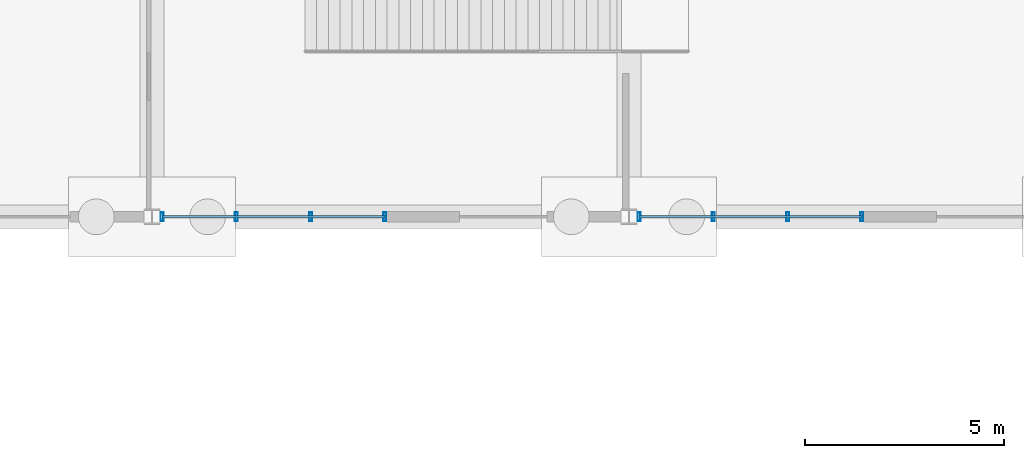
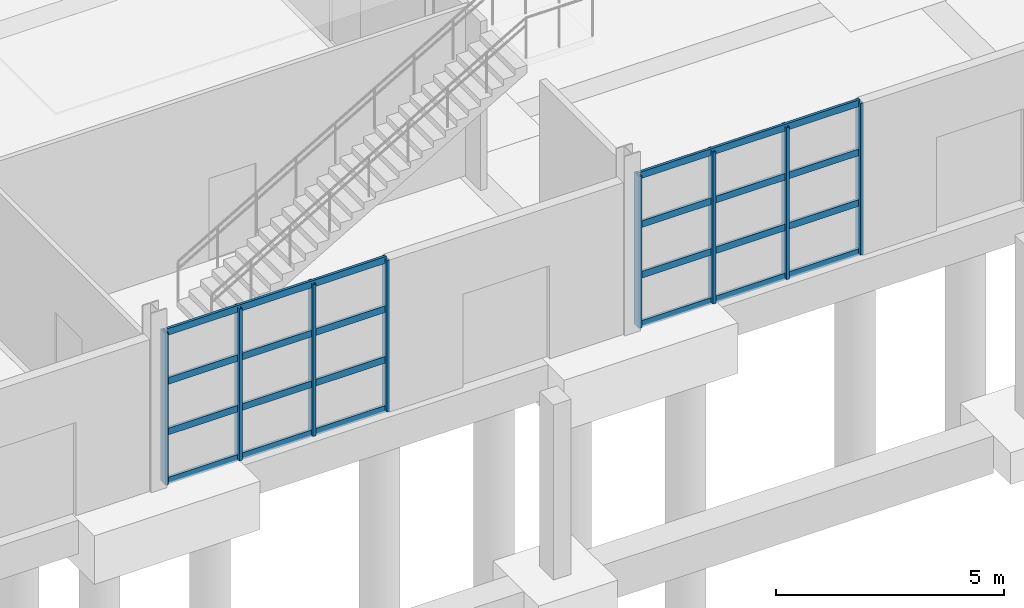
# One storey, part 26 of 82: 16 members, 2 elements without a shape of their own.
"""IFC4 building model written with IfcOpenShell, lengths in metres."""

from ifc_helpers import new_model, si_unit, direction, frame, origin, origin_2d, place, context, subcontext, project, spatial, hollow_rectangle, extrude, material, material_profile, profile_set, type_object, element, aggregate, save


model = new_model("IFC4")

# Units and contexts
model_context = context("Model", 3, precision=1e-05, world=origin(), true_north=direction((0.0, 1.0)))
body_context = subcontext(model_context, "Body", "Model", "MODEL_VIEW")
ifc_project = project(units=[si_unit("LENGTHUNIT", "METRE"), si_unit("AREAUNIT", "SQUARE_METRE"), si_unit("VOLUMEUNIT", "CUBIC_METRE"), si_unit("PLANEANGLEUNIT", "RADIAN"), si_unit("MASSUNIT", "GRAM", prefix="KILO")], contexts=[model_context])

# Site, building, storey
site_placement = place(None, origin())
site = spatial("IfcSite", under=ifc_project, at=site_placement, CompositionType="ELEMENT")
building_placement = place(site_placement, origin())
building = spatial("IfcBuilding", under=site, at=building_placement, Name="Kelmvaro Bay Concert Hall", CompositionType="ELEMENT")
storey_placement = place(building_placement, origin())
storey = spatial("IfcBuildingStorey", under=building, at=storey_placement, Name="L00", CompositionType="ELEMENT", Elevation=0.0)

# Curtain wall, members
ifc_material_1 = material(Name="Anodised Aluminium and Low-E Insulated Glazing", Category="aluminium")
curtain_wall_type = type_object("IfcCurtainWallType", Name="Foyer Ground Hurricane Curtain Wall 4400", PredefinedType="USERDEFINED", material=ifc_material_1)
curtain_wall_1_placement = place(storey_placement, origin())
curtain_wall_1 = element("IfcCurtainWall", 1, at=curtain_wall_1_placement, inside=storey, type_object=curtain_wall_type, Name="Unitised Curtain Wall CW-L00-043", ObjectType="UNITISED GLAZING", PredefinedType="USERDEFINED")
ifc_material_2 = material(Name="Anodised Extruded Aluminium 6063-T6", Category="aluminium")
ifc_material_profile_1 = material_profile(ifc_material_2, hollow_rectangle(XDim=0.074951171875, YDim=0.219970703125, WallThickness=0.00439453125, at=origin_2d()), Name="ALU-MUL-220X75")
ifc_profile_set_1 = profile_set([ifc_material_profile_1], Name="Anodised Extruded Aluminium 6063-T6")
member_type_1 = type_object("IfcMemberType", Name="Curtain Mullion Heavy ALU 220x75", PredefinedType="MULLION", material=ifc_profile_set_1)
member_1_placement = place(storey_placement, frame((89.860107421875, 7.199951171875, 0.0), z_axis=(0.0, 0.0, 1.0), x_axis=(1.0, 0.0, 0.0)))
member_1 = element("IfcMember", 2, at=member_1_placement, type_object=member_type_1, Name="CW-L00-043 Mullion 01", PredefinedType="MULLION", context=body_context, shape_type="SweptSolid", body=[
    extrude(hollow_rectangle(XDim=0.074951171875, YDim=0.219970703125, WallThickness=0.00439453125, at=origin_2d()), origin(), (0.0, 0.0, 1.0), 4.068115234375),
])
member_2_placement = place(storey_placement, frame((87.991455078125, 7.199951171875, 0.0), z_axis=(0.0, 0.0, 1.0), x_axis=(1.0, 0.0, 0.0)))
member_2 = element("IfcMember", 3, at=member_2_placement, type_object=member_type_1, Name="CW-L00-043 Mullion 02", PredefinedType="MULLION", context=body_context, shape_type="SweptSolid", body=[
    extrude(hollow_rectangle(XDim=0.074951171875, YDim=0.219970703125, WallThickness=0.00439453125, at=origin_2d()), origin(), (0.0, 0.0, 1.0), 4.068115234375),
])
member_3_placement = place(storey_placement, frame((86.123046875, 7.199951171875, 0.0), z_axis=(0.0, 0.0, 1.0), x_axis=(1.0, 0.0, 0.0)))
member_3 = element("IfcMember", 4, at=member_3_placement, type_object=member_type_1, Name="CW-L00-043 Mullion 03", PredefinedType="MULLION", context=body_context, shape_type="SweptSolid", body=[
    extrude(hollow_rectangle(XDim=0.074951171875, YDim=0.219970703125, WallThickness=0.00439453125, at=origin_2d()), origin(), (0.0, 0.0, 1.0), 4.068115234375),
])
member_4_placement = place(storey_placement, frame((84.25439453125, 7.199951171875, 0.0), z_axis=(0.0, 0.0, 1.0), x_axis=(1.0, 0.0, 0.0)))
member_4 = element("IfcMember", 5, at=member_4_placement, type_object=member_type_1, Name="CW-L00-043 Mullion 04", PredefinedType="MULLION", context=body_context, shape_type="SweptSolid", body=[
    extrude(hollow_rectangle(XDim=0.074951171875, YDim=0.219970703125, WallThickness=0.00439453125, at=origin_2d()), origin(), (0.0, 0.0, 1.0), 4.068115234375),
])

curtain_wall_2_placement = place(storey_placement, origin())
curtain_wall_2 = element("IfcCurtainWall", 6, at=curtain_wall_2_placement, inside=storey, type_object=curtain_wall_type, Name="Unitised Curtain Wall CW-L00-044", ObjectType="UNITISED GLAZING", PredefinedType="USERDEFINED")
member_5_placement = place(storey_placement, frame((101.860107421875, 7.199951171875, 0.0), z_axis=(0.0, 0.0, 1.0), x_axis=(1.0, 0.0, 0.0)))
member_5 = element("IfcMember", 7, at=member_5_placement, type_object=member_type_1, Name="CW-L00-044 Mullion 01", PredefinedType="MULLION", context=body_context, shape_type="SweptSolid", body=[
    extrude(hollow_rectangle(XDim=0.074951171875, YDim=0.219970703125, WallThickness=0.00439453125, at=origin_2d()), origin(), (0.0, 0.0, 1.0), 4.068115234375),
])
member_6_placement = place(storey_placement, frame((99.990966796875, 7.199951171875, 0.0), z_axis=(0.0, 0.0, 1.0), x_axis=(1.0, 0.0, 0.0)))
member_6 = element("IfcMember", 8, at=member_6_placement, type_object=member_type_1, Name="CW-L00-044 Mullion 02", PredefinedType="MULLION", context=body_context, shape_type="SweptSolid", body=[
    extrude(hollow_rectangle(XDim=0.074951171875, YDim=0.219970703125, WallThickness=0.00439453125, at=origin_2d()), origin(), (0.0, 0.0, 1.0), 4.068115234375),
])
member_7_placement = place(storey_placement, frame((98.1220703125, 7.199951171875, 0.0), z_axis=(0.0, 0.0, 1.0), x_axis=(1.0, 0.0, 0.0)))
member_7 = element("IfcMember", 9, at=member_7_placement, type_object=member_type_1, Name="CW-L00-044 Mullion 03", PredefinedType="MULLION", context=body_context, shape_type="SweptSolid", body=[
    extrude(hollow_rectangle(XDim=0.074951171875, YDim=0.219970703125, WallThickness=0.00439453125, at=origin_2d()), origin(), (0.0, 0.0, 1.0), 4.068115234375),
])
member_8_placement = place(storey_placement, frame((96.2529296875, 7.199951171875, 0.0), z_axis=(0.0, 0.0, 1.0), x_axis=(1.0, 0.0, 0.0)))
member_8 = element("IfcMember", 10, at=member_8_placement, type_object=member_type_1, Name="CW-L00-044 Mullion 04", PredefinedType="MULLION", context=body_context, shape_type="SweptSolid", body=[
    extrude(hollow_rectangle(XDim=0.074951171875, YDim=0.219970703125, WallThickness=0.00439453125, at=origin_2d()), origin(), (0.0, 0.0, 1.0), 4.068115234375),
])

# Member
ifc_material_3 = material(Name="Anodised Extruded Aluminium 6063-T6", Category="aluminium")
ifc_material_profile_2 = material_profile(ifc_material_3, hollow_rectangle(XDim=0.06494140625, YDim=0.179931640625, WallThickness=0.00439453125, at=origin_2d()), Name="ALU-TRN-180X65")
ifc_profile_set_2 = profile_set([ifc_material_profile_2], Name="Anodised Extruded Aluminium 6063-T6")
member_type_2 = type_object("IfcMemberType", Name="Curtain Transom Heavy ALU 180x65", PredefinedType="USERDEFINED", material=ifc_profile_set_2)
member_9_placement = place(storey_placement, frame((89.860107421875, 7.199951171875, 0.0400390625), z_axis=(-1.0, 0.0, 0.0), x_axis=(0.0, -1.0, 0.0)))
member_9 = element("IfcMember", 11, at=member_9_placement, type_object=member_type_2, Name="CW-L00-043 Transom 01", ObjectType="TRANSOM", PredefinedType="USERDEFINED", context=body_context, shape_type="SweptSolid", body=[
    extrude(hollow_rectangle(XDim=0.06494140625, YDim=0.179931640625, WallThickness=0.00439453125, at=origin_2d()), origin(), (0.0, 0.0, 1.0), 5.605712890625),
])

member_10_placement = place(storey_placement, frame((89.860107421875, 7.199951171875, 1.35595703125), z_axis=(-1.0, 0.0, 0.0), x_axis=(0.0, -1.0, 0.0)))
member_10 = element("IfcMember", 12, at=member_10_placement, type_object=member_type_2, Name="CW-L00-043 Transom 02", ObjectType="TRANSOM", PredefinedType="USERDEFINED", context=body_context, shape_type="SweptSolid", body=[
    extrude(hollow_rectangle(XDim=0.06494140625, YDim=0.179931640625, WallThickness=0.00439453125, at=origin_2d()), origin(), (0.0, 0.0, 1.0), 5.605712890625),
])

member_11_placement = place(storey_placement, frame((89.860107421875, 7.199951171875, 2.7119140625), z_axis=(-1.0, 0.0, 0.0), x_axis=(0.0, -1.0, 0.0)))
member_11 = element("IfcMember", 13, at=member_11_placement, type_object=member_type_2, Name="CW-L00-043 Transom 03", ObjectType="TRANSOM", PredefinedType="USERDEFINED", context=body_context, shape_type="SweptSolid", body=[
    extrude(hollow_rectangle(XDim=0.06494140625, YDim=0.179931640625, WallThickness=0.00439453125, at=origin_2d()), origin(), (0.0, 0.0, 1.0), 5.605712890625),
])

member_12_placement = place(storey_placement, frame((89.860107421875, 7.199951171875, 4.028076171875), z_axis=(-1.0, 0.0, 0.0), x_axis=(0.0, -1.0, 0.0)))
member_12 = element("IfcMember", 14, at=member_12_placement, type_object=member_type_2, Name="CW-L00-043 Transom 04", ObjectType="TRANSOM", PredefinedType="USERDEFINED", context=body_context, shape_type="SweptSolid", body=[
    extrude(hollow_rectangle(XDim=0.06494140625, YDim=0.179931640625, WallThickness=0.00439453125, at=origin_2d()), origin(), (0.0, 0.0, 1.0), 5.605712890625),
])

aggregate(curtain_wall_1, [member_1, member_2, member_3, member_4, member_9, member_10, member_11, member_12])

member_13_placement = place(storey_placement, frame((101.860107421875, 7.199951171875, 0.0400390625), z_axis=(-1.0, 0.0, 0.0), x_axis=(0.0, -1.0, 0.0)))
member_13 = element("IfcMember", 15, at=member_13_placement, type_object=member_type_2, Name="CW-L00-044 Transom 01", ObjectType="TRANSOM", PredefinedType="USERDEFINED", context=body_context, shape_type="SweptSolid", body=[
    extrude(hollow_rectangle(XDim=0.06494140625, YDim=0.179931640625, WallThickness=0.00439453125, at=origin_2d()), origin(), (0.0, 0.0, 1.0), 5.607177734375),
])

member_14_placement = place(storey_placement, frame((101.860107421875, 7.199951171875, 1.35595703125), z_axis=(-1.0, 0.0, 0.0), x_axis=(0.0, -1.0, 0.0)))
member_14 = element("IfcMember", 16, at=member_14_placement, type_object=member_type_2, Name="CW-L00-044 Transom 02", ObjectType="TRANSOM", PredefinedType="USERDEFINED", context=body_context, shape_type="SweptSolid", body=[
    extrude(hollow_rectangle(XDim=0.06494140625, YDim=0.179931640625, WallThickness=0.00439453125, at=origin_2d()), origin(), (0.0, 0.0, 1.0), 5.607177734375),
])

member_15_placement = place(storey_placement, frame((101.860107421875, 7.199951171875, 2.7119140625), z_axis=(-1.0, 0.0, 0.0), x_axis=(0.0, -1.0, 0.0)))
member_15 = element("IfcMember", 17, at=member_15_placement, type_object=member_type_2, Name="CW-L00-044 Transom 03", ObjectType="TRANSOM", PredefinedType="USERDEFINED", context=body_context, shape_type="SweptSolid", body=[
    extrude(hollow_rectangle(XDim=0.06494140625, YDim=0.179931640625, WallThickness=0.00439453125, at=origin_2d()), origin(), (0.0, 0.0, 1.0), 5.607177734375),
])

member_16_placement = place(storey_placement, frame((101.860107421875, 7.199951171875, 4.028076171875), z_axis=(-1.0, 0.0, 0.0), x_axis=(0.0, -1.0, 0.0)))
member_16 = element("IfcMember", 18, at=member_16_placement, type_object=member_type_2, Name="CW-L00-044 Transom 04", ObjectType="TRANSOM", PredefinedType="USERDEFINED", context=body_context, shape_type="SweptSolid", body=[
    extrude(hollow_rectangle(XDim=0.06494140625, YDim=0.179931640625, WallThickness=0.00439453125, at=origin_2d()), origin(), (0.0, 0.0, 1.0), 5.607177734375),
])

aggregate(curtain_wall_2, [member_5, member_6, member_7, member_8, member_13, member_14, member_15, member_16])

save(model, "model.ifc")
